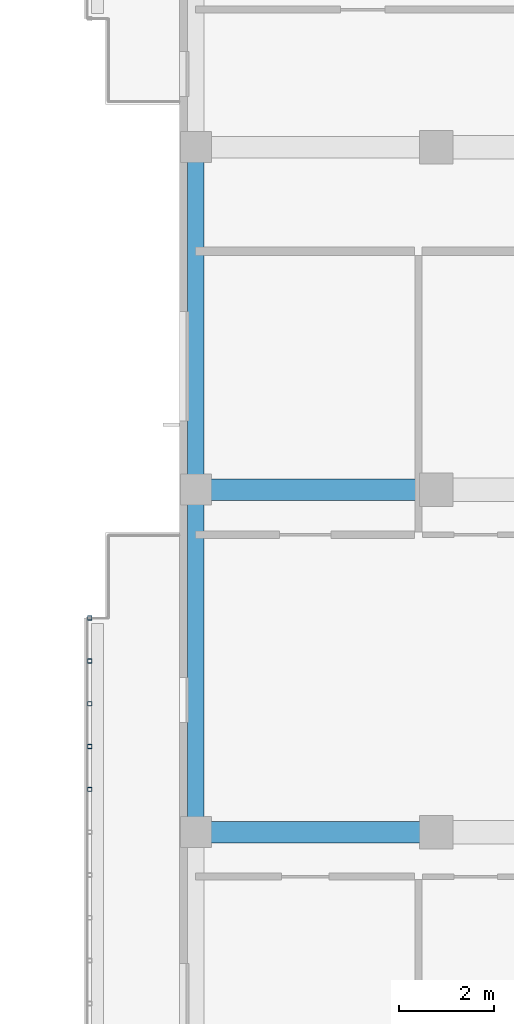
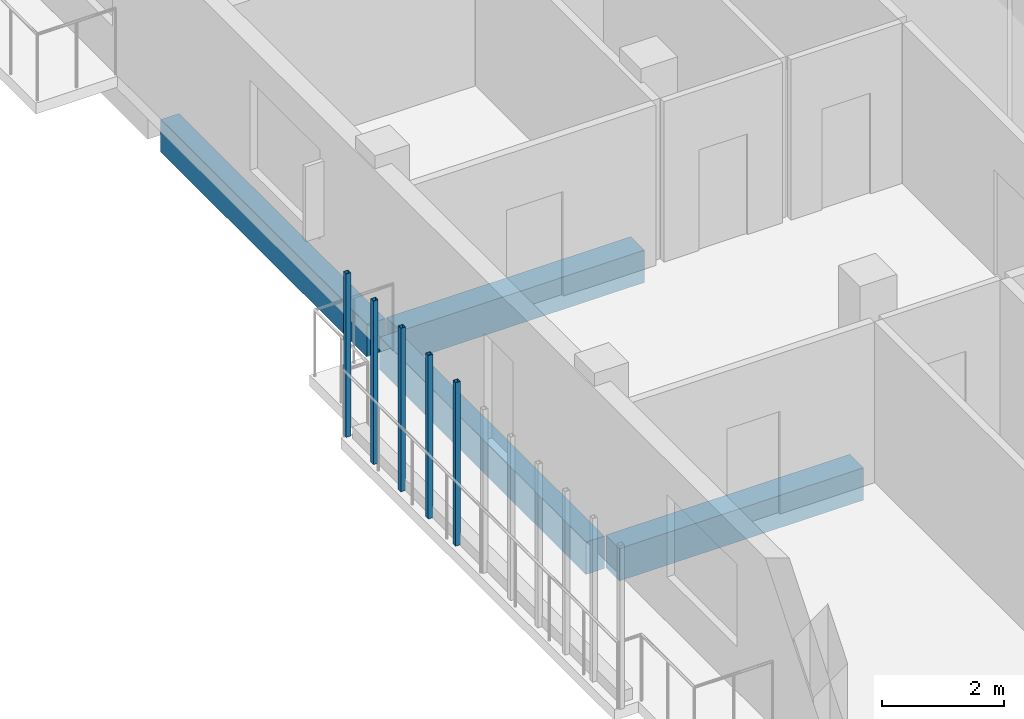
# One storey, part 25 of 73: 5 members, 4 beams.
"""IFC4 building model written with IfcOpenShell, lengths in metres."""

from ifc_helpers import new_model, si_unit, derived_unit, direction, frame, origin, origin_2d, place, context, subcontext, project, spatial, rectangle, hollow_rectangle, extrude, material, material_profile, profile_set, type_object, element, save


model = new_model("IFC4")

# Units and contexts
model_context = context("Model", 3, precision=1e-05, world=origin(), true_north=direction((0.0, 1.0)))
body_context = subcontext(model_context, "Body", "Model", "MODEL_VIEW")
ifc_project = project(units=[si_unit("LENGTHUNIT", "METRE"), si_unit("AREAUNIT", "SQUARE_METRE"), si_unit("VOLUMEUNIT", "CUBIC_METRE"), si_unit("PLANEANGLEUNIT", "RADIAN"), si_unit("MASSUNIT", "GRAM", prefix="KILO"), derived_unit("THERMALTRANSMITTANCEUNIT", [(si_unit("MASSUNIT", "GRAM", prefix="KILO"), 1), (si_unit("TIMEUNIT", "SECOND"), -3), (si_unit("THERMODYNAMICTEMPERATUREUNIT", "KELVIN"), -1)])], contexts=[model_context])

# Site, building, storey
site_placement = place(None, origin())
site = spatial("IfcSite", under=ifc_project, at=site_placement, CompositionType="ELEMENT")
building_placement = place(site_placement, origin())
building = spatial("IfcBuilding", under=site, at=building_placement, Name="Ochrekiln Boulevard Commons", CompositionType="ELEMENT")
storey_placement = place(building_placement, frame((0.0, 0.0, 8.574951171875)))
storey = spatial("IfcBuildingStorey", under=building, at=storey_placement, Name="L02", CompositionType="ELEMENT", Elevation=8.574951171875)

# Beams
ifc_material_1 = material(Name="Concrete C35/45", Category="concrete")
ifc_material_profile_1 = material_profile(ifc_material_1, rectangle(XDim=0.449951171875, YDim=0.64990234375, at=origin_2d()), Name="RC-BM-450x650")
ifc_profile_set_1 = profile_set([ifc_material_profile_1], Name="Concrete C35/45")
beam_type_1 = type_object("IfcBeamType", Name="BM-RC-450x650", PredefinedType="BEAM", material=ifc_profile_set_1)
for number, where, z_axis, x_axis, name in (
    (1, (151.760009765625, 82.800048828125, -0.5849609375), (1.0, 0.0, 0.0), (0.0, 1.0, 0.0), "Block B L02 Beam B-4565 X6"),
    (2, (151.760009765625, 90.0, -0.5849609375), (1.0, 0.0, 0.0), (0.0, 1.0, 0.0), "Block B L02 Beam B-4565 X9"),
):
    element("IfcBeam", number, at=place(storey_placement, frame(where, z_axis=z_axis, x_axis=x_axis)), inside=storey, type_object=beam_type_1, Name=name, PredefinedType="BEAM", context=body_context, shape_type="SweptSolid", body=[
        extrude(rectangle(XDim=0.449951171875, YDim=0.64990234375, at=origin_2d()), origin(), (0.0, 0.0, 1.0), 4.6298828125),
    ])

# Members
ifc_material_2 = material(Name="Steel A500 Grade C", Category="steel")
ifc_material_profile_2 = material_profile(ifc_material_2, hollow_rectangle(XDim=0.090087890625, YDim=0.090087890625, WallThickness=0.00634765625, at=origin_2d()), Name="HSS90X90X6.4")
ifc_profile_set_2 = profile_set([ifc_material_profile_2], Name="Steel A500 Grade C")
member_type = type_object("IfcMemberType", Name="MEM-PST-HSS90", PredefinedType="POST", material=ifc_profile_set_2)
for number, where, z_axis, x_axis, name in (
    (3, (149.320068359375, 83.699951171875, 0.0), (0.0, 0.0, 1.0), (1.0, 0.0, 0.0), "Block B L02 Slim Vertical Balcony Post (183)"),
    (4, (149.320068359375, 84.60009765625, 0.0), (0.0, 0.0, 1.0), (1.0, 0.0, 0.0), "Block B L02 Slim Vertical Balcony Post (184)"),
    (5, (149.320068359375, 85.5, 0.0), (0.0, 0.0, 1.0), (1.0, 0.0, 0.0), "Block B L02 Slim Vertical Balcony Post (185)"),
    (6, (149.320068359375, 86.39990234375, 0.0), (0.0, 0.0, 1.0), (1.0, 0.0, 0.0), "Block B L02 Slim Vertical Balcony Post (186)"),
    (7, (149.320068359375, 87.300048828125, 0.0), (0.0, 0.0, 1.0), (1.0, 0.0, 0.0), "Block B L02 Slim Vertical Balcony Post (187)"),
):
    element("IfcMember", number, at=place(storey_placement, frame(where, z_axis=z_axis, x_axis=x_axis)), inside=storey, type_object=member_type, Name=name, PredefinedType="POST", context=body_context, shape_type="SweptSolid", body=[
        extrude(hollow_rectangle(XDim=0.090087890625, YDim=0.090087890625, WallThickness=0.00634765625, at=origin_2d()), origin(), (0.0, 0.0, 1.0), 3.280029296875),
    ])

# Beams
ifc_material_3 = material(Name="Concrete C40/50", Category="concrete")
ifc_material_profile_3 = material_profile(ifc_material_3, rectangle(XDim=0.35009765625, YDim=0.64990234375, at=origin_2d()), Name="RC-SPN-350x650")
ifc_profile_set_3 = profile_set([ifc_material_profile_3], Name="Concrete C40/50")
beam_type_2 = type_object("IfcBeamType", Name="SPN-RC-350x650", PredefinedType="SPANDREL", material=ifc_profile_set_3)
for number, where, z_axis, x_axis, name in (
    (8, (151.550048828125, 83.010009765625, -0.5849609375), (0.0, 1.0, 0.0), (-1.0, 0.0, 0.0), "Block B L02 Beam SP-3565 Y25"),
    (9, (151.550048828125, 90.2099609375, -0.5849609375), (0.0, 1.0, 0.0), (-1.0, 0.0, 0.0), "Block B L02 Beam SP-3565 Y26"),
):
    element("IfcBeam", number, at=place(storey_placement, frame(where, z_axis=z_axis, x_axis=x_axis)), inside=storey, type_object=beam_type_2, Name=name, PredefinedType="SPANDREL", context=body_context, shape_type="SweptSolid", body=[
        extrude(rectangle(XDim=0.35009765625, YDim=0.64990234375, at=origin_2d()), origin(), (0.0, 0.0, 1.0), 6.780029296875),
    ])

save(model, "model.ifc")
